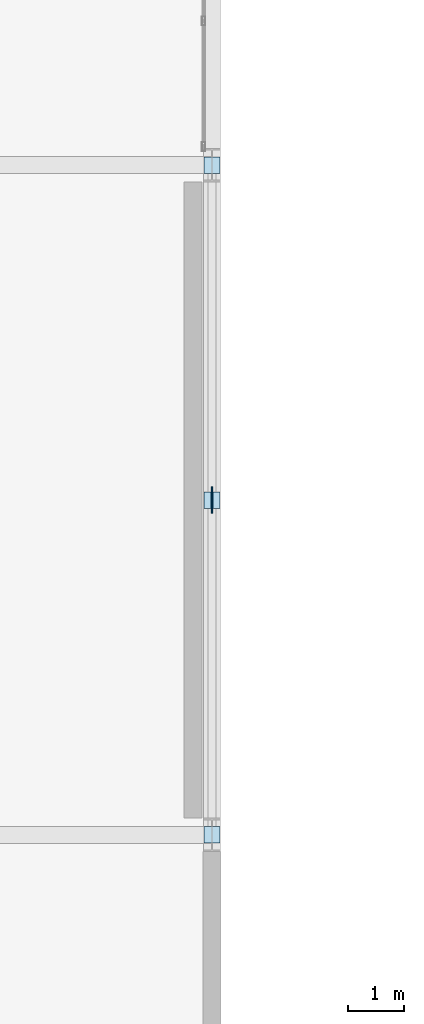
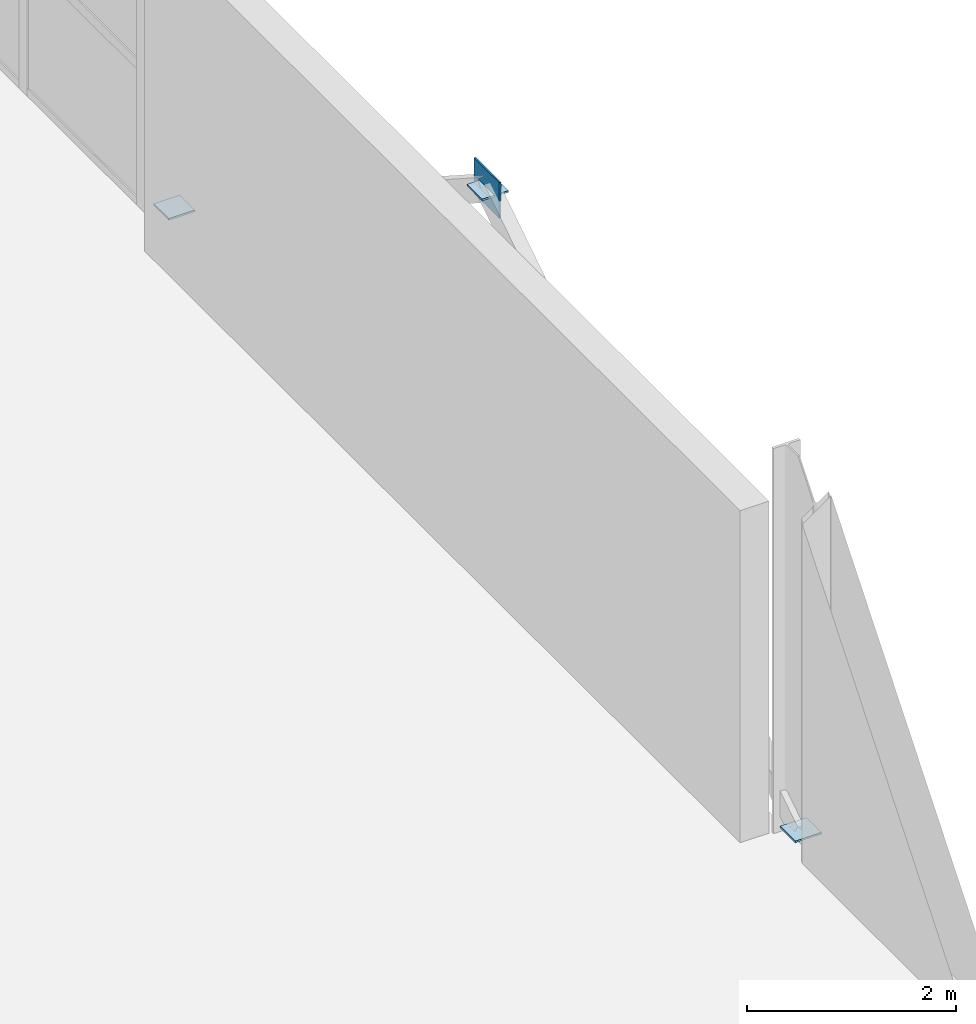
# One storey, part 94 of 109: 4 plates.
"""IFC4 building model written with IfcOpenShell, lengths in metres."""

from ifc_helpers import new_model, si_unit, direction, frame, origin, origin_2d, place, context, subcontext, project, spatial, rectangle, extrude, material, layer, layer_set, type_object, element, save


model = new_model("IFC4")

# Units and contexts
model_context = context("Model", 3, precision=1e-05, world=origin(), true_north=direction((0.0, 1.0)))
body_context = subcontext(model_context, "Body", "Model", "MODEL_VIEW")
ifc_project = project(units=[si_unit("LENGTHUNIT", "METRE"), si_unit("AREAUNIT", "SQUARE_METRE"), si_unit("VOLUMEUNIT", "CUBIC_METRE"), si_unit("PLANEANGLEUNIT", "RADIAN"), si_unit("MASSUNIT", "GRAM", prefix="KILO")], contexts=[model_context])

# Site, building, storey
site_placement = place(None, origin())
site = spatial("IfcSite", under=ifc_project, at=site_placement, CompositionType="ELEMENT")
building_placement = place(site_placement, origin())
building = spatial("IfcBuilding", under=site, at=building_placement, Name="Veltarok Museum of Natural Sciences", CompositionType="ELEMENT")
storey_placement = place(building_placement, frame((0.0, 0.0, 17.39990234375)))
storey = spatial("IfcBuildingStorey", under=building, at=storey_placement, Name="L03", CompositionType="ELEMENT", Elevation=17.39990234375)

# Plates
ifc_material = material(Name="Steel S355J2", Category="steel")
ifc_layer_1 = layer(ifc_material, 0.02001953125)
ifc_layer_set_1 = layer_set([ifc_layer_1], Name="Steel S355J2")
plate_type_1 = type_object("IfcPlateType", Name="Hollow End Closure Plate D290x20", PredefinedType="USERDEFINED", material=ifc_layer_set_1)
for number, where, z_axis, x_axis, name in (
    (1, (98.800048828125, 36.00341796875, 0.142333984375), (0.0, 0.0, 1.0), (0.0, 1.0, 0.0), "End Cap Plate CP-273 453"),
    (2, (98.800048828125, 41.99658203125, 4.0078125), (0.0, 0.0, 1.0), (0.0, 1.0, 0.0), "End Cap Plate CP-273 454"),
    (3, (98.800048828125, 47.99658203125, 0.142333984375), (0.0, 0.0, 1.0), (0.0, 1.0, 0.0), "End Cap Plate CP-273 455"),
):
    element("IfcPlate", number, at=place(storey_placement, frame(where, z_axis=z_axis, x_axis=x_axis)), inside=storey, type_object=plate_type_1, Name=name, ObjectType="END CAP PLATE", PredefinedType="USERDEFINED", context=body_context, shape_type="SweptSolid", body=[
        extrude(rectangle(XDim=0.2900390625, YDim=0.2900390625, at=origin_2d()), origin(), (0.0, 0.0, 1.0), 0.02001953125),
    ])
ifc_layer_2 = layer(ifc_material, 0.02001953125)
ifc_layer_set_2 = layer_set([ifc_layer_2], Name="Steel S355J2")
plate_type_2 = type_object("IfcPlateType", Name="Lateral Brace Gusset Node Plate BN1", PredefinedType="USERDEFINED", material=ifc_layer_set_2)
plate_placement = place(storey_placement, frame((98.800048828125, 42.0, 3.81005859375), z_axis=(0.0, 0.0, 1.0), x_axis=(1.0, 0.0, 0.0)))
element("IfcPlate", 4, at=plate_placement, inside=storey, type_object=plate_type_2, Name="Lateral Brace Apex Node BN1 30", ObjectType="GUSSET PLATE", PredefinedType="USERDEFINED", context=body_context, shape_type="SweptSolid", body=[
    extrude(rectangle(XDim=0.02001953125, YDim=0.47998046875, at=origin_2d()), origin(), (0.0, 0.0, 1.0), 0.419921875),
])

save(model, "model.ifc")
